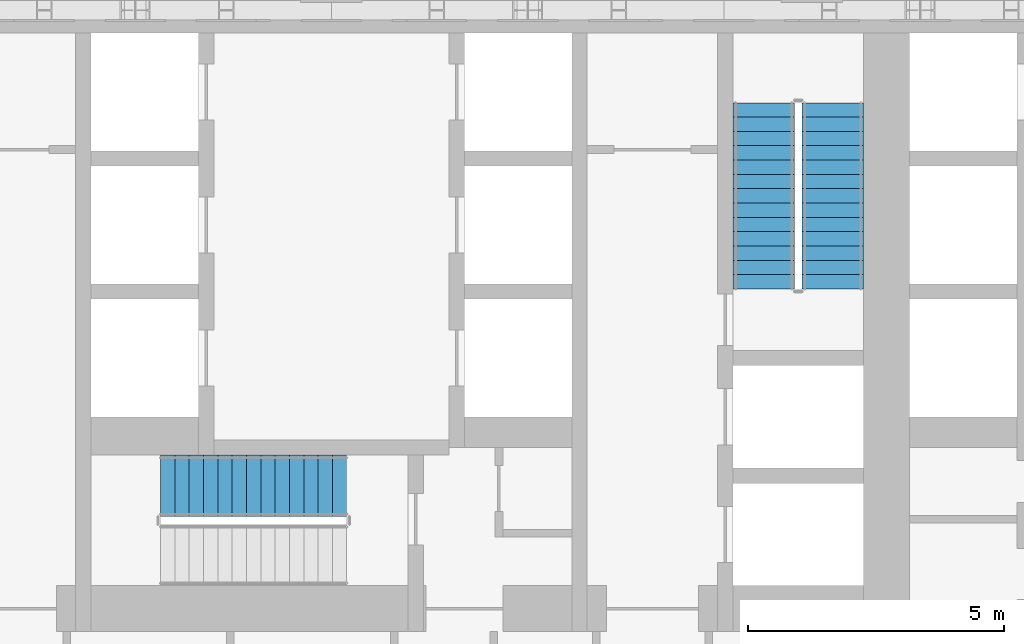
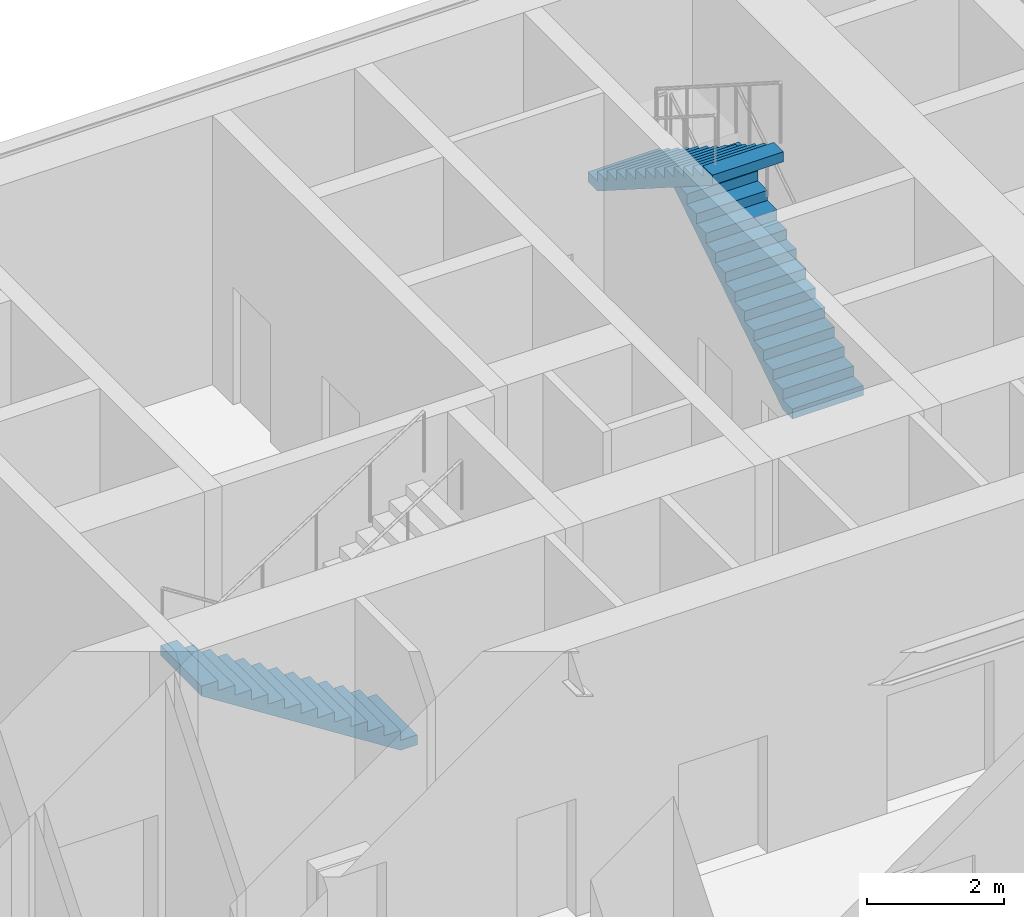
# One storey, part 22 of 25: 3 stair flights, 2 elements without a shape of their own.
"""IFC4 building model written with IfcOpenShell, lengths in metres."""

from ifc_helpers import new_model, si_unit, direction, frame, origin, place, context, subcontext, project, spatial, polyline, outline, extrude, material, type_object, element, aggregate, save


model = new_model("IFC4")

# Units and contexts
model_context = context("Model", 3, precision=1e-05, world=origin(), true_north=direction((0.0, 1.0)))
body_context = subcontext(model_context, "Body", "Model", "MODEL_VIEW")
ifc_project = project(units=[si_unit("LENGTHUNIT", "METRE"), si_unit("AREAUNIT", "SQUARE_METRE"), si_unit("VOLUMEUNIT", "CUBIC_METRE"), si_unit("PLANEANGLEUNIT", "RADIAN"), si_unit("MASSUNIT", "GRAM", prefix="KILO")], contexts=[model_context])

# Site, building, storey
site_placement = place(None, origin())
site = spatial("IfcSite", under=ifc_project, at=site_placement, CompositionType="ELEMENT")
building_placement = place(site_placement, origin())
building = spatial("IfcBuilding", under=site, at=building_placement, Name="Aloe Facet Convention Tower", CompositionType="ELEMENT")
storey_placement = place(building_placement, frame((0.0, 0.0, 30.0)))
storey = spatial("IfcBuildingStorey", under=building, at=storey_placement, Name="L05", CompositionType="ELEMENT", Elevation=30.0)

# Stair, stair flights
ifc_material_1 = material(Name="Concrete C50/60", Category="concrete")
stair_type = type_object("IfcStairType", Name="CR-ST-28R", PredefinedType="HALF_TURN_STAIR", material=ifc_material_1)
stair_1_placement = place(storey_placement, origin())
stair_1 = element("IfcStair", 1, at=stair_1_placement, inside=storey, type_object=stair_type, Name="L05 Protected exit stair ST2", PredefinedType="HALF_TURN_STAIR")
ifc_material_2 = material(Name="Concrete C50/60", Category="concrete")
stair_flight_type = type_object("IfcStairFlightType", Name="CR-SFL-28R", PredefinedType="STRAIGHT", material=ifc_material_2)
stair_flight_1_placement = place(storey_placement, frame((89.800048828125, 128.949951171875, 0.0), z_axis=(0.0, 0.0, 1.0), x_axis=(0.0, 1.0, 0.0)))
stair_flight_1 = element("IfcStairFlight", 2, at=stair_flight_1_placement, type_object=stair_flight_type, Name="ST2 flight 1", NumberOfRisers=14, NumberOfTreads=13, PredefinedType="STRAIGHT", RiserHeight=0.178571429, TreadLength=0.28, context=body_context, shape_type="SweptSolid", body=[
    extrude(outline(polyline([(0.0, 0.0), (0.0, 0.178466796875), (0.280029296875, 0.178466796875), (0.280029296875, 0.357177734375), (0.56005859375, 0.357177734375), (0.56005859375, 0.53564453125), (0.840087890625, 0.53564453125), (0.840087890625, 0.71435546875), (1.1201171875, 0.71435546875), (1.1201171875, 0.892822265625), (1.39990234375, 0.892822265625), (1.39990234375, 1.071533203125), (1.679931640625, 1.071533203125), (1.679931640625, 1.25), (1.9599609375, 1.25), (1.9599609375, 1.428466796875), (2.239990234375, 1.428466796875), (2.239990234375, 1.607177734375), (2.52001953125, 1.607177734375), (2.52001953125, 1.78564453125), (2.800048828125, 1.78564453125), (2.800048828125, 1.96435546875), (3.080078125, 1.96435546875), (3.080078125, 2.142822265625), (3.360107421875, 2.142822265625), (3.360107421875, 2.321533203125), (3.639892578125, 2.321533203125), (3.639892578125, 2.5), (3.639892578125, 2.1435546875), (0.27880859375, 0.0), (0.0, 0.0)])), frame((0.0, 0.60009765625, 0.0), z_axis=(0.0, -1.0, 0.0), x_axis=(1.0, 0.0, 0.0)), (0.0, 0.0, 1.0), 1.199951171875),
])
stair_flight_2_placement = place(storey_placement, frame((88.449951171875, 132.590087890625, 2.5), z_axis=(0.0, 0.0, 1.0), x_axis=(0.0, -1.0, 0.0)))
stair_flight_2 = element("IfcStairFlight", 3, at=stair_flight_2_placement, type_object=stair_flight_type, Name="ST2 flight 2", NumberOfRisers=14, NumberOfTreads=13, PredefinedType="STRAIGHT", RiserHeight=0.178571429, TreadLength=0.28, context=body_context, shape_type="SweptSolid", body=[
    extrude(outline(polyline([(0.0, 0.0), (0.0, 0.178466796875), (0.280029296875, 0.178466796875), (0.280029296875, 0.357177734375), (0.56005859375, 0.357177734375), (0.56005859375, 0.53564453125), (0.840087890625, 0.53564453125), (0.840087890625, 0.71435546875), (1.1201171875, 0.71435546875), (1.1201171875, 0.892822265625), (1.39990234375, 0.892822265625), (1.39990234375, 1.071533203125), (1.679931640625, 1.071533203125), (1.679931640625, 1.25), (1.9599609375, 1.25), (1.9599609375, 1.428466796875), (2.239990234375, 1.428466796875), (2.239990234375, 1.607177734375), (2.52001953125, 1.607177734375), (2.52001953125, 1.78564453125), (2.800048828125, 1.78564453125), (2.800048828125, 1.96435546875), (3.080078125, 1.96435546875), (3.080078125, 2.142822265625), (3.360107421875, 2.142822265625), (3.360107421875, 2.321533203125), (3.639892578125, 2.321533203125), (3.639892578125, 2.5), (3.639892578125, 2.1435546875), (0.27880859375, 0.0), (0.0, 0.0)])), frame((0.0, 0.60009765625, 0.0), z_axis=(0.0, -1.0, 0.0), x_axis=(1.0, 0.0, 0.0)), (0.0, 0.0, 1.0), 1.199951171875),
])
aggregate(stair_1, [stair_flight_1, stair_flight_2])

# Stair, stair flight
stair_2_placement = place(storey_placement, origin())
stair_2 = element("IfcStair", 4, at=stair_2_placement, inside=storey, type_object=stair_type, Name="L05 Protected exit stair ST3", PredefinedType="HALF_TURN_STAIR")
stair_flight_3_placement = place(storey_placement, frame((80.300048828125, 125.10009765625, 0.0), z_axis=(0.0, 0.0, 1.0), x_axis=(-1.0, 0.0, 0.0)))
stair_flight_3 = element("IfcStairFlight", 5, at=stair_flight_3_placement, type_object=stair_flight_type, Name="ST3 flight 1", NumberOfRisers=14, NumberOfTreads=13, PredefinedType="STRAIGHT", RiserHeight=0.178571429, TreadLength=0.28, context=body_context, shape_type="SweptSolid", body=[
    extrude(outline(polyline([(0.0, 0.0), (0.0, 0.178466796875), (0.280029296875, 0.178466796875), (0.280029296875, 0.357177734375), (0.56005859375, 0.357177734375), (0.56005859375, 0.53564453125), (0.840087890625, 0.53564453125), (0.840087890625, 0.71435546875), (1.1201171875, 0.71435546875), (1.1201171875, 0.892822265625), (1.39990234375, 0.892822265625), (1.39990234375, 1.071533203125), (1.679931640625, 1.071533203125), (1.679931640625, 1.25), (1.9599609375, 1.25), (1.9599609375, 1.428466796875), (2.239990234375, 1.428466796875), (2.239990234375, 1.607177734375), (2.52001953125, 1.607177734375), (2.52001953125, 1.78564453125), (2.800048828125, 1.78564453125), (2.800048828125, 1.96435546875), (3.080078125, 1.96435546875), (3.080078125, 2.142822265625), (3.360107421875, 2.142822265625), (3.360107421875, 2.321533203125), (3.639892578125, 2.321533203125), (3.639892578125, 2.5), (3.639892578125, 2.1435546875), (0.27880859375, 0.0), (0.0, 0.0)])), frame((0.0, 0.60009765625, 0.0), z_axis=(0.0, -1.0, 0.0), x_axis=(1.0, 0.0, 0.0)), (0.0, 0.0, 1.0), 1.199951171875),
])
aggregate(stair_2, [stair_flight_3])

save(model, "model.ifc")
